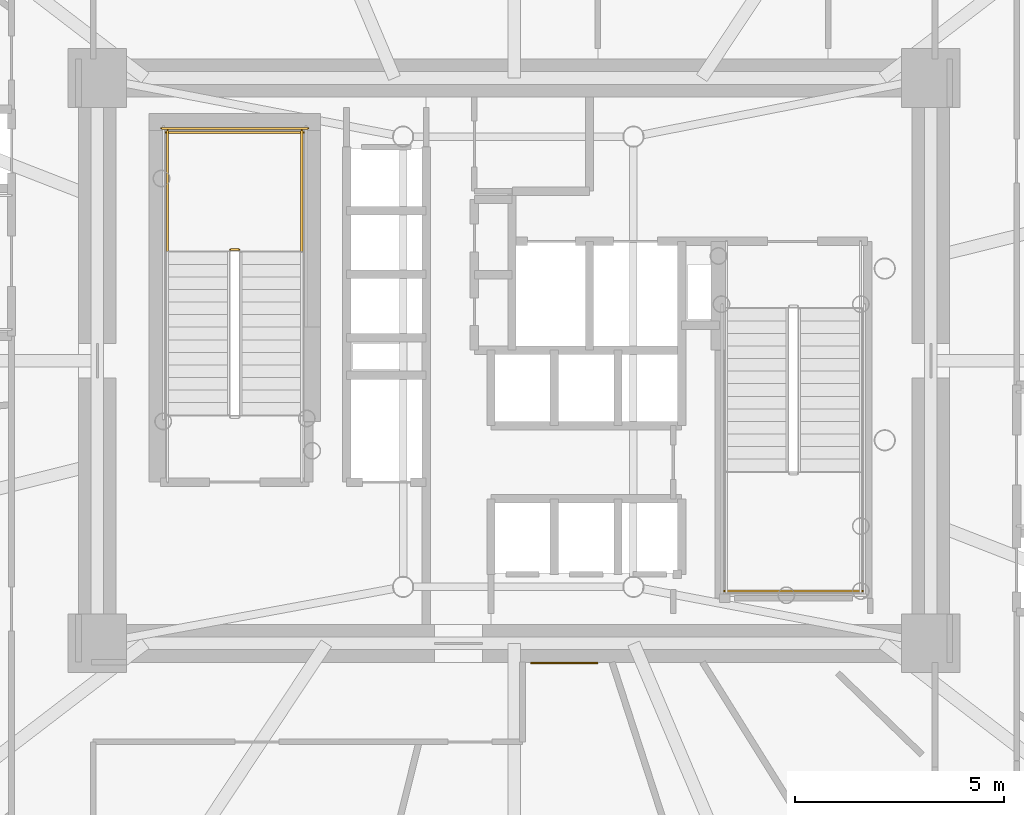
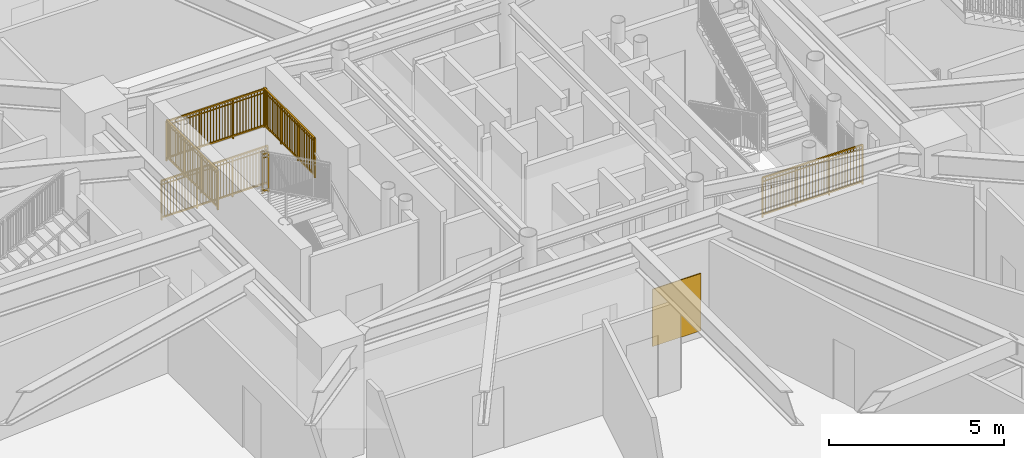
# One storey, part 25 of 31: 6 railings, 1 covering.
"""IFC4 building model written with IfcOpenShell, lengths in metres."""

from ifc_helpers import new_model, si_unit, direction, frame, origin, origin_2d, place, context, subcontext, project, spatial, rectangle, extrude, source, transform, mapped, material, layer, layer_set, type_object, element, save


model = new_model("IFC4")

# Units and contexts
model_context = context("Model", 3, precision=1e-05, world=origin(), true_north=direction((0.0, 1.0)))
body_context = subcontext(model_context, "Body", "Model", "MODEL_VIEW")
ifc_project = project(units=[si_unit("LENGTHUNIT", "METRE"), si_unit("AREAUNIT", "SQUARE_METRE"), si_unit("VOLUMEUNIT", "CUBIC_METRE"), si_unit("PLANEANGLEUNIT", "RADIAN"), si_unit("MASSUNIT", "GRAM", prefix="KILO")], contexts=[model_context])

# Site, building, storey
site_placement = place(None, origin())
site = spatial("IfcSite", under=ifc_project, at=site_placement, CompositionType="ELEMENT")
building_placement = place(site_placement, origin())
building = spatial("IfcBuilding", under=site, at=building_placement, Name="Linh Dai School and Residence Tower", CompositionType="ELEMENT")
storey_placement = place(building_placement, frame((0.0, 0.0, 6.0)))
storey = spatial("IfcBuildingStorey", under=building, at=storey_placement, Name="L01", CompositionType="ELEMENT", Elevation=6.0)

# Railings
ifc_material_1 = material(Name="Structural Steel S355JR", Category="steel")
railing_type = type_object("IfcRailingType", Name="RL-ST-GUARD-1400", PredefinedType="GUARDRAIL", material=ifc_material_1)
shared_shape_1 = source(origin(), body_context, "Body", "SweptSolid", [
    extrude(rectangle(XDim=0.048095703125, YDim=0.048095703125, at=origin_2d()), frame((0.0, 0.0, 1.3759765625), z_axis=(-1.0, 0.0, 0.0), x_axis=(0.0, -1.0, 0.0)), (0.0, 0.0, 1.0), 0.199951171875),
    extrude(rectangle(XDim=0.048095703125, YDim=0.048095703125, at=origin_2d()), frame((0.0, 0.0, 0.10009765625), z_axis=(-1.0, 0.0, 0.0), x_axis=(0.0, -1.0, 0.0)), (0.0, 0.0, 1.0), 0.199951171875),
    extrude(rectangle(XDim=0.030029296875, YDim=0.030029296875, at=origin_2d()), frame((0.0, 0.0, 1.239990234375), z_axis=(-1.0, 0.0, 0.0), x_axis=(0.0, -1.0, 0.0)), (0.0, 0.0, 1.0), 0.199951171875),
    extrude(rectangle(XDim=0.0419921875, YDim=0.0419921875, at=origin_2d()), origin(), (0.0, 0.0, 1.0), 1.3759765625),
    extrude(rectangle(XDim=0.0419921875, YDim=0.0419921875, at=origin_2d()), frame((-0.199951171875, 0.0, 0.0)), (0.0, 0.0, 1.0), 1.3759765625),
])
railing_1_placement = place(storey_placement, frame((29.429931640625, 29.64990234375, 2.10009765625)))
element("IfcRailing", 1, at=railing_1_placement, inside=storey, type_object=railing_type, Name="L01 ST1 stair guard 2", PredefinedType="GUARDRAIL", context=body_context, shape_type="MappedRepresentation", body=[
    mapped(shared_shape_1, transform((0.0, 0.0, 0.0), x_axis=(1.0, 0.0, 0.0), y_axis=(0.0, 1.0, 0.0), z_axis=(0.0, 0.0, 1.0), scale=1.0)),
])
shared_shape_2 = source(origin(), body_context, "Body", "SweptSolid", [
    extrude(rectangle(XDim=0.048095703125, YDim=0.048095703125, at=origin_2d()), frame((0.0, 0.0, 1.3759765625), z_axis=(-1.0, 0.0, 0.0), x_axis=(0.0, -1.0, 0.0)), (0.0, 0.0, 1.0), 3.300048828125),
    extrude(rectangle(XDim=0.048095703125, YDim=0.048095703125, at=origin_2d()), frame((0.0, 0.0, 0.10009765625), z_axis=(-1.0, 0.0, 0.0), x_axis=(0.0, -1.0, 0.0)), (0.0, 0.0, 1.0), 3.300048828125),
    extrude(rectangle(XDim=0.030029296875, YDim=0.030029296875, at=origin_2d()), frame((0.0, 0.0, 1.239990234375), z_axis=(-1.0, 0.0, 0.0), x_axis=(0.0, -1.0, 0.0)), (0.0, 0.0, 1.0), 3.300048828125),
    extrude(rectangle(XDim=0.02001953125, YDim=0.02001953125, at=origin_2d()), frame((-0.09716796875, 0.0, 0.10009765625)), (0.0, 0.0, 1.0), 1.251708984375),
    extrude(rectangle(XDim=0.02001953125, YDim=0.02001953125, at=origin_2d()), frame((-0.194091796875, 0.0, 0.10009765625)), (0.0, 0.0, 1.0), 1.251708984375),
    extrude(rectangle(XDim=0.02001953125, YDim=0.02001953125, at=origin_2d()), frame((-0.291259765625, 0.0, 0.10009765625)), (0.0, 0.0, 1.0), 1.251708984375),
    extrude(rectangle(XDim=0.02001953125, YDim=0.02001953125, at=origin_2d()), frame((-0.38818359375, 0.0, 0.10009765625)), (0.0, 0.0, 1.0), 1.251708984375),
    extrude(rectangle(XDim=0.02001953125, YDim=0.02001953125, at=origin_2d()), frame((-0.4853515625, 0.0, 0.10009765625)), (0.0, 0.0, 1.0), 1.251708984375),
    extrude(rectangle(XDim=0.02001953125, YDim=0.02001953125, at=origin_2d()), frame((-0.582275390625, 0.0, 0.10009765625)), (0.0, 0.0, 1.0), 1.251708984375),
    extrude(rectangle(XDim=0.02001953125, YDim=0.02001953125, at=origin_2d()), frame((-0.679443359375, 0.0, 0.10009765625)), (0.0, 0.0, 1.0), 1.251708984375),
    extrude(rectangle(XDim=0.02001953125, YDim=0.02001953125, at=origin_2d()), frame((-0.7763671875, 0.0, 0.10009765625)), (0.0, 0.0, 1.0), 1.251708984375),
    extrude(rectangle(XDim=0.02001953125, YDim=0.02001953125, at=origin_2d()), frame((-0.87353515625, 0.0, 0.10009765625)), (0.0, 0.0, 1.0), 1.251708984375),
    extrude(rectangle(XDim=0.02001953125, YDim=0.02001953125, at=origin_2d()), frame((-0.970703125, 0.0, 0.10009765625)), (0.0, 0.0, 1.0), 1.251708984375),
    extrude(rectangle(XDim=0.02001953125, YDim=0.02001953125, at=origin_2d()), frame((-1.164794921875, 0.0, 0.10009765625)), (0.0, 0.0, 1.0), 1.251708984375),
    extrude(rectangle(XDim=0.02001953125, YDim=0.02001953125, at=origin_2d()), frame((-1.26171875, 0.0, 0.10009765625)), (0.0, 0.0, 1.0), 1.251708984375),
    extrude(rectangle(XDim=0.02001953125, YDim=0.02001953125, at=origin_2d()), frame((-1.35888671875, 0.0, 0.10009765625)), (0.0, 0.0, 1.0), 1.251708984375),
    extrude(rectangle(XDim=0.02001953125, YDim=0.02001953125, at=origin_2d()), frame((-1.455810546875, 0.0, 0.10009765625)), (0.0, 0.0, 1.0), 1.251708984375),
    extrude(rectangle(XDim=0.02001953125, YDim=0.02001953125, at=origin_2d()), frame((-1.552978515625, 0.0, 0.10009765625)), (0.0, 0.0, 1.0), 1.251708984375),
    extrude(rectangle(XDim=0.02001953125, YDim=0.02001953125, at=origin_2d()), frame((-1.64990234375, 0.0, 0.10009765625)), (0.0, 0.0, 1.0), 1.251708984375),
    extrude(rectangle(XDim=0.02001953125, YDim=0.02001953125, at=origin_2d()), frame((-1.7470703125, 0.0, 0.10009765625)), (0.0, 0.0, 1.0), 1.251708984375),
    extrude(rectangle(XDim=0.02001953125, YDim=0.02001953125, at=origin_2d()), frame((-1.84423828125, 0.0, 0.10009765625)), (0.0, 0.0, 1.0), 1.251708984375),
    extrude(rectangle(XDim=0.02001953125, YDim=0.02001953125, at=origin_2d()), frame((-1.941162109375, 0.0, 0.10009765625)), (0.0, 0.0, 1.0), 1.251708984375),
    extrude(rectangle(XDim=0.02001953125, YDim=0.02001953125, at=origin_2d()), frame((-2.038330078125, 0.0, 0.10009765625)), (0.0, 0.0, 1.0), 1.251708984375),
    extrude(rectangle(XDim=0.02001953125, YDim=0.02001953125, at=origin_2d()), frame((-2.13525390625, 0.0, 0.10009765625)), (0.0, 0.0, 1.0), 1.251708984375),
    extrude(rectangle(XDim=0.02001953125, YDim=0.02001953125, at=origin_2d()), frame((-2.329345703125, 0.0, 0.10009765625)), (0.0, 0.0, 1.0), 1.251708984375),
    extrude(rectangle(XDim=0.02001953125, YDim=0.02001953125, at=origin_2d()), frame((-2.426513671875, 0.0, 0.10009765625)), (0.0, 0.0, 1.0), 1.251708984375),
    extrude(rectangle(XDim=0.02001953125, YDim=0.02001953125, at=origin_2d()), frame((-2.523681640625, 0.0, 0.10009765625)), (0.0, 0.0, 1.0), 1.251708984375),
    extrude(rectangle(XDim=0.02001953125, YDim=0.02001953125, at=origin_2d()), frame((-2.62060546875, 0.0, 0.10009765625)), (0.0, 0.0, 1.0), 1.251708984375),
    extrude(rectangle(XDim=0.02001953125, YDim=0.02001953125, at=origin_2d()), frame((-2.7177734375, 0.0, 0.10009765625)), (0.0, 0.0, 1.0), 1.251708984375),
    extrude(rectangle(XDim=0.02001953125, YDim=0.02001953125, at=origin_2d()), frame((-2.814697265625, 0.0, 0.10009765625)), (0.0, 0.0, 1.0), 1.251708984375),
    extrude(rectangle(XDim=0.02001953125, YDim=0.02001953125, at=origin_2d()), frame((-2.911865234375, 0.0, 0.10009765625)), (0.0, 0.0, 1.0), 1.251708984375),
    extrude(rectangle(XDim=0.02001953125, YDim=0.02001953125, at=origin_2d()), frame((-3.0087890625, 0.0, 0.10009765625)), (0.0, 0.0, 1.0), 1.251708984375),
    extrude(rectangle(XDim=0.02001953125, YDim=0.02001953125, at=origin_2d()), frame((-3.10595703125, 0.0, 0.10009765625)), (0.0, 0.0, 1.0), 1.251708984375),
    extrude(rectangle(XDim=0.02001953125, YDim=0.02001953125, at=origin_2d()), frame((-3.202880859375, 0.0, 0.10009765625)), (0.0, 0.0, 1.0), 1.251708984375),
    extrude(rectangle(XDim=0.0419921875, YDim=0.0419921875, at=origin_2d()), origin(), (0.0, 0.0, 1.0), 1.3759765625),
    extrude(rectangle(XDim=0.0419921875, YDim=0.0419921875, at=origin_2d()), frame((-1.10009765625, 0.0, 0.0)), (0.0, 0.0, 1.0), 1.3759765625),
    extrude(rectangle(XDim=0.0419921875, YDim=0.0419921875, at=origin_2d()), frame((-2.199951171875, 0.0, 0.0)), (0.0, 0.0, 1.0), 1.3759765625),
    extrude(rectangle(XDim=0.0419921875, YDim=0.0419921875, at=origin_2d()), frame((-3.300048828125, 0.0, 0.0)), (0.0, 0.0, 1.0), 1.3759765625),
])
railing_2_placement = place(storey_placement, frame((30.97998046875, 32.449951171875, 2.10009765625)))
element("IfcRailing", 2, at=railing_2_placement, inside=storey, type_object=railing_type, Name="L01 ST1 stair guard 5", PredefinedType="GUARDRAIL", context=body_context, shape_type="MappedRepresentation", body=[
    mapped(shared_shape_2, transform((0.0, 0.0, 0.0), x_axis=(1.0, 0.0, 0.0), y_axis=(0.0, 1.0, 0.0), z_axis=(0.0, 0.0, 1.0), scale=1.0)),
])
shared_shape_3 = source(origin(), body_context, "Body", "SweptSolid", [
    extrude(rectangle(XDim=0.048095703125, YDim=0.048095703125, at=origin_2d()), frame((0.0, 0.0, 1.3759765625), z_axis=(-1.0, 0.0, 0.0), x_axis=(0.0, -1.0, 0.0)), (0.0, 0.0, 1.0), 3.5),
    extrude(rectangle(XDim=0.048095703125, YDim=0.048095703125, at=origin_2d()), frame((0.0, 0.0, 0.10009765625), z_axis=(-1.0, 0.0, 0.0), x_axis=(0.0, -1.0, 0.0)), (0.0, 0.0, 1.0), 3.5),
    extrude(rectangle(XDim=0.030029296875, YDim=0.030029296875, at=origin_2d()), frame((0.0, 0.0, 1.239990234375), z_axis=(-1.0, 0.0, 0.0), x_axis=(0.0, -1.0, 0.0)), (0.0, 0.0, 1.0), 3.5),
    extrude(rectangle(XDim=0.02001953125, YDim=0.02001953125, at=origin_2d()), frame((-0.09716796875, 0.0, 0.10009765625)), (0.0, 0.0, 1.0), 1.251708984375),
    extrude(rectangle(XDim=0.02001953125, YDim=0.02001953125, at=origin_2d()), frame((-0.1943359375, 0.0, 0.10009765625)), (0.0, 0.0, 1.0), 1.251708984375),
    extrude(rectangle(XDim=0.02001953125, YDim=0.02001953125, at=origin_2d()), frame((-0.291748046875, 0.0, 0.10009765625)), (0.0, 0.0, 1.0), 1.251708984375),
    extrude(rectangle(XDim=0.02001953125, YDim=0.02001953125, at=origin_2d()), frame((-0.388916015625, 0.0, 0.10009765625)), (0.0, 0.0, 1.0), 1.251708984375),
    extrude(rectangle(XDim=0.02001953125, YDim=0.02001953125, at=origin_2d()), frame((-0.486083984375, 0.0, 0.10009765625)), (0.0, 0.0, 1.0), 1.251708984375),
    extrude(rectangle(XDim=0.02001953125, YDim=0.02001953125, at=origin_2d()), frame((-0.583251953125, 0.0, 0.10009765625)), (0.0, 0.0, 1.0), 1.251708984375),
    extrude(rectangle(XDim=0.02001953125, YDim=0.02001953125, at=origin_2d()), frame((-0.6806640625, 0.0, 0.10009765625)), (0.0, 0.0, 1.0), 1.251708984375),
    extrude(rectangle(XDim=0.02001953125, YDim=0.02001953125, at=origin_2d()), frame((-0.77783203125, 0.0, 0.10009765625)), (0.0, 0.0, 1.0), 1.251708984375),
    extrude(rectangle(XDim=0.02001953125, YDim=0.02001953125, at=origin_2d()), frame((-0.875, 0.0, 0.10009765625)), (0.0, 0.0, 1.0), 1.251708984375),
    extrude(rectangle(XDim=0.02001953125, YDim=0.02001953125, at=origin_2d()), frame((-0.97216796875, 0.0, 0.10009765625)), (0.0, 0.0, 1.0), 1.251708984375),
    extrude(rectangle(XDim=0.02001953125, YDim=0.02001953125, at=origin_2d()), frame((-1.0693359375, 0.0, 0.10009765625)), (0.0, 0.0, 1.0), 1.251708984375),
    extrude(rectangle(XDim=0.02001953125, YDim=0.02001953125, at=origin_2d()), frame((-1.263916015625, 0.0, 0.10009765625)), (0.0, 0.0, 1.0), 1.251708984375),
    extrude(rectangle(XDim=0.02001953125, YDim=0.02001953125, at=origin_2d()), frame((-1.361083984375, 0.0, 0.10009765625)), (0.0, 0.0, 1.0), 1.251708984375),
    extrude(rectangle(XDim=0.02001953125, YDim=0.02001953125, at=origin_2d()), frame((-1.458251953125, 0.0, 0.10009765625)), (0.0, 0.0, 1.0), 1.251708984375),
    extrude(rectangle(XDim=0.02001953125, YDim=0.02001953125, at=origin_2d()), frame((-1.5556640625, 0.0, 0.10009765625)), (0.0, 0.0, 1.0), 1.251708984375),
    extrude(rectangle(XDim=0.02001953125, YDim=0.02001953125, at=origin_2d()), frame((-1.65283203125, 0.0, 0.10009765625)), (0.0, 0.0, 1.0), 1.251708984375),
    extrude(rectangle(XDim=0.02001953125, YDim=0.02001953125, at=origin_2d()), frame((-1.75, 0.0, 0.10009765625)), (0.0, 0.0, 1.0), 1.251708984375),
    extrude(rectangle(XDim=0.02001953125, YDim=0.02001953125, at=origin_2d()), frame((-1.84716796875, 0.0, 0.10009765625)), (0.0, 0.0, 1.0), 1.251708984375),
    extrude(rectangle(XDim=0.02001953125, YDim=0.02001953125, at=origin_2d()), frame((-1.9443359375, 0.0, 0.10009765625)), (0.0, 0.0, 1.0), 1.251708984375),
    extrude(rectangle(XDim=0.02001953125, YDim=0.02001953125, at=origin_2d()), frame((-2.041748046875, 0.0, 0.10009765625)), (0.0, 0.0, 1.0), 1.251708984375),
    extrude(rectangle(XDim=0.02001953125, YDim=0.02001953125, at=origin_2d()), frame((-2.138916015625, 0.0, 0.10009765625)), (0.0, 0.0, 1.0), 1.251708984375),
    extrude(rectangle(XDim=0.02001953125, YDim=0.02001953125, at=origin_2d()), frame((-2.236083984375, 0.0, 0.10009765625)), (0.0, 0.0, 1.0), 1.251708984375),
    extrude(rectangle(XDim=0.02001953125, YDim=0.02001953125, at=origin_2d()), frame((-2.4306640625, 0.0, 0.10009765625)), (0.0, 0.0, 1.0), 1.251708984375),
    extrude(rectangle(XDim=0.02001953125, YDim=0.02001953125, at=origin_2d()), frame((-2.52783203125, 0.0, 0.10009765625)), (0.0, 0.0, 1.0), 1.251708984375),
    extrude(rectangle(XDim=0.02001953125, YDim=0.02001953125, at=origin_2d()), frame((-2.625, 0.0, 0.10009765625)), (0.0, 0.0, 1.0), 1.251708984375),
    extrude(rectangle(XDim=0.02001953125, YDim=0.02001953125, at=origin_2d()), frame((-2.72216796875, 0.0, 0.10009765625)), (0.0, 0.0, 1.0), 1.251708984375),
    extrude(rectangle(XDim=0.02001953125, YDim=0.02001953125, at=origin_2d()), frame((-2.8193359375, 0.0, 0.10009765625)), (0.0, 0.0, 1.0), 1.251708984375),
    extrude(rectangle(XDim=0.02001953125, YDim=0.02001953125, at=origin_2d()), frame((-2.916748046875, 0.0, 0.10009765625)), (0.0, 0.0, 1.0), 1.251708984375),
    extrude(rectangle(XDim=0.02001953125, YDim=0.02001953125, at=origin_2d()), frame((-3.013916015625, 0.0, 0.10009765625)), (0.0, 0.0, 1.0), 1.251708984375),
    extrude(rectangle(XDim=0.02001953125, YDim=0.02001953125, at=origin_2d()), frame((-3.111083984375, 0.0, 0.10009765625)), (0.0, 0.0, 1.0), 1.251708984375),
    extrude(rectangle(XDim=0.02001953125, YDim=0.02001953125, at=origin_2d()), frame((-3.208251953125, 0.0, 0.10009765625)), (0.0, 0.0, 1.0), 1.251708984375),
    extrude(rectangle(XDim=0.02001953125, YDim=0.02001953125, at=origin_2d()), frame((-3.3056640625, 0.0, 0.10009765625)), (0.0, 0.0, 1.0), 1.251708984375),
    extrude(rectangle(XDim=0.02001953125, YDim=0.02001953125, at=origin_2d()), frame((-3.40283203125, 0.0, 0.10009765625)), (0.0, 0.0, 1.0), 1.251708984375),
    extrude(rectangle(XDim=0.0419921875, YDim=0.0419921875, at=origin_2d()), origin(), (0.0, 0.0, 1.0), 1.3759765625),
    extrude(rectangle(XDim=0.0419921875, YDim=0.0419921875, at=origin_2d()), frame((-1.166748046875, 0.0, 0.0)), (0.0, 0.0, 1.0), 1.3759765625),
    extrude(rectangle(XDim=0.0419921875, YDim=0.0419921875, at=origin_2d()), frame((-2.333251953125, 0.0, 0.0)), (0.0, 0.0, 1.0), 1.3759765625),
    extrude(rectangle(XDim=0.0419921875, YDim=0.0419921875, at=origin_2d()), frame((-3.5, 0.0, 0.0)), (0.0, 0.0, 1.0), 1.3759765625),
])
railing_3_placement = place(storey_placement, frame((31.080078125, 32.550048828125, 0.0)))
element("IfcRailing", 3, at=railing_3_placement, inside=storey, type_object=railing_type, Name="L01 ST1 stair guard 12", PredefinedType="GUARDRAIL", context=body_context, shape_type="MappedRepresentation", body=[
    mapped(shared_shape_3, transform((0.0, 0.0, 0.0), x_axis=(1.0, 0.0, 0.0), y_axis=(0.0, 1.0, 0.0), z_axis=(0.0, 0.0, 1.0), scale=1.0)),
])
shared_shape_4 = source(origin(), body_context, "Body", "SweptSolid", [
    extrude(rectangle(XDim=0.048095703125, YDim=0.048095703125, at=origin_2d()), frame((0.0, 0.0, 1.3759765625), z_axis=(0.0, 1.0, 0.0), x_axis=(-1.0, 0.0, 0.0)), (0.0, 0.0, 1.0), 2.89990234375),
    extrude(rectangle(XDim=0.048095703125, YDim=0.048095703125, at=origin_2d()), frame((0.0, 0.0, 0.10009765625), z_axis=(0.0, 1.0, 0.0), x_axis=(-1.0, 0.0, 0.0)), (0.0, 0.0, 1.0), 2.89990234375),
    extrude(rectangle(XDim=0.030029296875, YDim=0.030029296875, at=origin_2d()), frame((0.0, 0.0, 1.239990234375), z_axis=(0.0, 1.0, 0.0), x_axis=(-1.0, 0.0, 0.0)), (0.0, 0.0, 1.0), 2.89990234375),
    extrude(rectangle(XDim=0.02001953125, YDim=0.02001953125, at=origin_2d()), frame((0.0, 0.0966796875, 0.10009765625)), (0.0, 0.0, 1.0), 1.251708984375),
    extrude(rectangle(XDim=0.02001953125, YDim=0.02001953125, at=origin_2d()), frame((0.0, 0.193359375, 0.10009765625)), (0.0, 0.0, 1.0), 1.251708984375),
    extrude(rectangle(XDim=0.02001953125, YDim=0.02001953125, at=origin_2d()), frame((0.0, 0.2900390625, 0.10009765625)), (0.0, 0.0, 1.0), 1.251708984375),
    extrude(rectangle(XDim=0.02001953125, YDim=0.02001953125, at=origin_2d()), frame((0.0, 0.38671875, 0.10009765625)), (0.0, 0.0, 1.0), 1.251708984375),
    extrude(rectangle(XDim=0.02001953125, YDim=0.02001953125, at=origin_2d()), frame((0.0, 0.4833984375, 0.10009765625)), (0.0, 0.0, 1.0), 1.251708984375),
    extrude(rectangle(XDim=0.02001953125, YDim=0.02001953125, at=origin_2d()), frame((0.0, 0.580078125, 0.10009765625)), (0.0, 0.0, 1.0), 1.251708984375),
    extrude(rectangle(XDim=0.02001953125, YDim=0.02001953125, at=origin_2d()), frame((0.0, 0.6767578125, 0.10009765625)), (0.0, 0.0, 1.0), 1.251708984375),
    extrude(rectangle(XDim=0.02001953125, YDim=0.02001953125, at=origin_2d()), frame((0.0, 0.773193359375, 0.10009765625)), (0.0, 0.0, 1.0), 1.251708984375),
    extrude(rectangle(XDim=0.02001953125, YDim=0.02001953125, at=origin_2d()), frame((0.0, 0.869873046875, 0.10009765625)), (0.0, 0.0, 1.0), 1.251708984375),
    extrude(rectangle(XDim=0.02001953125, YDim=0.02001953125, at=origin_2d()), frame((0.0, 1.063232421875, 0.10009765625)), (0.0, 0.0, 1.0), 1.251708984375),
    extrude(rectangle(XDim=0.02001953125, YDim=0.02001953125, at=origin_2d()), frame((0.0, 1.159912109375, 0.10009765625)), (0.0, 0.0, 1.0), 1.251708984375),
    extrude(rectangle(XDim=0.02001953125, YDim=0.02001953125, at=origin_2d()), frame((0.0, 1.256591796875, 0.10009765625)), (0.0, 0.0, 1.0), 1.251708984375),
    extrude(rectangle(XDim=0.02001953125, YDim=0.02001953125, at=origin_2d()), frame((0.0, 1.353271484375, 0.10009765625)), (0.0, 0.0, 1.0), 1.251708984375),
    extrude(rectangle(XDim=0.02001953125, YDim=0.02001953125, at=origin_2d()), frame((0.0, 1.449951171875, 0.10009765625)), (0.0, 0.0, 1.0), 1.251708984375),
    extrude(rectangle(XDim=0.02001953125, YDim=0.02001953125, at=origin_2d()), frame((0.0, 1.546630859375, 0.10009765625)), (0.0, 0.0, 1.0), 1.251708984375),
    extrude(rectangle(XDim=0.02001953125, YDim=0.02001953125, at=origin_2d()), frame((0.0, 1.643310546875, 0.10009765625)), (0.0, 0.0, 1.0), 1.251708984375),
    extrude(rectangle(XDim=0.02001953125, YDim=0.02001953125, at=origin_2d()), frame((0.0, 1.739990234375, 0.10009765625)), (0.0, 0.0, 1.0), 1.251708984375),
    extrude(rectangle(XDim=0.02001953125, YDim=0.02001953125, at=origin_2d()), frame((0.0, 1.836669921875, 0.10009765625)), (0.0, 0.0, 1.0), 1.251708984375),
    extrude(rectangle(XDim=0.02001953125, YDim=0.02001953125, at=origin_2d()), frame((0.0, 2.030029296875, 0.10009765625)), (0.0, 0.0, 1.0), 1.251708984375),
    extrude(rectangle(XDim=0.02001953125, YDim=0.02001953125, at=origin_2d()), frame((0.0, 2.126708984375, 0.10009765625)), (0.0, 0.0, 1.0), 1.251708984375),
    extrude(rectangle(XDim=0.02001953125, YDim=0.02001953125, at=origin_2d()), frame((0.0, 2.22314453125, 0.10009765625)), (0.0, 0.0, 1.0), 1.251708984375),
    extrude(rectangle(XDim=0.02001953125, YDim=0.02001953125, at=origin_2d()), frame((0.0, 2.31982421875, 0.10009765625)), (0.0, 0.0, 1.0), 1.251708984375),
    extrude(rectangle(XDim=0.02001953125, YDim=0.02001953125, at=origin_2d()), frame((0.0, 2.41650390625, 0.10009765625)), (0.0, 0.0, 1.0), 1.251708984375),
    extrude(rectangle(XDim=0.02001953125, YDim=0.02001953125, at=origin_2d()), frame((0.0, 2.51318359375, 0.10009765625)), (0.0, 0.0, 1.0), 1.251708984375),
    extrude(rectangle(XDim=0.02001953125, YDim=0.02001953125, at=origin_2d()), frame((0.0, 2.60986328125, 0.10009765625)), (0.0, 0.0, 1.0), 1.251708984375),
    extrude(rectangle(XDim=0.02001953125, YDim=0.02001953125, at=origin_2d()), frame((0.0, 2.70654296875, 0.10009765625)), (0.0, 0.0, 1.0), 1.251708984375),
    extrude(rectangle(XDim=0.02001953125, YDim=0.02001953125, at=origin_2d()), frame((0.0, 2.80322265625, 0.10009765625)), (0.0, 0.0, 1.0), 1.251708984375),
    extrude(rectangle(XDim=0.0419921875, YDim=0.0419921875, at=origin_2d()), origin(), (0.0, 0.0, 1.0), 1.3759765625),
    extrude(rectangle(XDim=0.0419921875, YDim=0.0419921875, at=origin_2d()), frame((0.0, 0.966552734375, 0.0)), (0.0, 0.0, 1.0), 1.3759765625),
    extrude(rectangle(XDim=0.0419921875, YDim=0.0419921875, at=origin_2d()), frame((0.0, 1.933349609375, 0.0)), (0.0, 0.0, 1.0), 1.3759765625),
    extrude(rectangle(XDim=0.0419921875, YDim=0.0419921875, at=origin_2d()), frame((0.0, 2.89990234375, 0.0)), (0.0, 0.0, 1.0), 1.3759765625),
])
for number, where, name in (
    (4, (30.929931640625, 29.60009765625, 2.10009765625), "L01 ST1 stair guard 3"),
    (5, (27.72998046875, 29.60009765625, 2.10009765625), "L01 ST1 stair guard 4"),
):
    element("IfcRailing", number, at=place(storey_placement, frame(where)), inside=storey, type_object=railing_type, Name=name, PredefinedType="GUARDRAIL", context=body_context, shape_type="MappedRepresentation", body=[
        mapped(shared_shape_4, transform((0.0, 0.0, 0.0), x_axis=(1.0, 0.0, 0.0), y_axis=(0.0, 1.0, 0.0), z_axis=(0.0, 0.0, 1.0), scale=1.0)),
    ])
shared_shape_5 = source(origin(), body_context, "Body", "SweptSolid", [
    extrude(rectangle(XDim=0.048095703125, YDim=0.048095703125, at=origin_2d()), frame((0.0, 0.0, 1.3759765625), z_axis=(1.0, 0.0, 0.0), x_axis=(0.0, 1.0, 0.0)), (0.0, 0.0, 1.0), 3.300048828125),
    extrude(rectangle(XDim=0.048095703125, YDim=0.048095703125, at=origin_2d()), frame((0.0, 0.0, 0.10009765625), z_axis=(1.0, 0.0, 0.0), x_axis=(0.0, 1.0, 0.0)), (0.0, 0.0, 1.0), 3.300048828125),
    extrude(rectangle(XDim=0.030029296875, YDim=0.030029296875, at=origin_2d()), frame((0.0, 0.0, 1.239990234375), z_axis=(1.0, 0.0, 0.0), x_axis=(0.0, 1.0, 0.0)), (0.0, 0.0, 1.0), 3.300048828125),
    extrude(rectangle(XDim=0.02001953125, YDim=0.02001953125, at=origin_2d()), frame((0.09716796875, 0.0, 0.10009765625)), (0.0, 0.0, 1.0), 1.251708984375),
    extrude(rectangle(XDim=0.02001953125, YDim=0.02001953125, at=origin_2d()), frame((0.194091796875, 0.0, 0.10009765625)), (0.0, 0.0, 1.0), 1.251708984375),
    extrude(rectangle(XDim=0.02001953125, YDim=0.02001953125, at=origin_2d()), frame((0.291259765625, 0.0, 0.10009765625)), (0.0, 0.0, 1.0), 1.251708984375),
    extrude(rectangle(XDim=0.02001953125, YDim=0.02001953125, at=origin_2d()), frame((0.38818359375, 0.0, 0.10009765625)), (0.0, 0.0, 1.0), 1.251708984375),
    extrude(rectangle(XDim=0.02001953125, YDim=0.02001953125, at=origin_2d()), frame((0.4853515625, 0.0, 0.10009765625)), (0.0, 0.0, 1.0), 1.251708984375),
    extrude(rectangle(XDim=0.02001953125, YDim=0.02001953125, at=origin_2d()), frame((0.582275390625, 0.0, 0.10009765625)), (0.0, 0.0, 1.0), 1.251708984375),
    extrude(rectangle(XDim=0.02001953125, YDim=0.02001953125, at=origin_2d()), frame((0.679443359375, 0.0, 0.10009765625)), (0.0, 0.0, 1.0), 1.251708984375),
    extrude(rectangle(XDim=0.02001953125, YDim=0.02001953125, at=origin_2d()), frame((0.7763671875, 0.0, 0.10009765625)), (0.0, 0.0, 1.0), 1.251708984375),
    extrude(rectangle(XDim=0.02001953125, YDim=0.02001953125, at=origin_2d()), frame((0.87353515625, 0.0, 0.10009765625)), (0.0, 0.0, 1.0), 1.251708984375),
    extrude(rectangle(XDim=0.02001953125, YDim=0.02001953125, at=origin_2d()), frame((0.970703125, 0.0, 0.10009765625)), (0.0, 0.0, 1.0), 1.251708984375),
    extrude(rectangle(XDim=0.02001953125, YDim=0.02001953125, at=origin_2d()), frame((1.164794921875, 0.0, 0.10009765625)), (0.0, 0.0, 1.0), 1.251708984375),
    extrude(rectangle(XDim=0.02001953125, YDim=0.02001953125, at=origin_2d()), frame((1.26171875, 0.0, 0.10009765625)), (0.0, 0.0, 1.0), 1.251708984375),
    extrude(rectangle(XDim=0.02001953125, YDim=0.02001953125, at=origin_2d()), frame((1.35888671875, 0.0, 0.10009765625)), (0.0, 0.0, 1.0), 1.251708984375),
    extrude(rectangle(XDim=0.02001953125, YDim=0.02001953125, at=origin_2d()), frame((1.455810546875, 0.0, 0.10009765625)), (0.0, 0.0, 1.0), 1.251708984375),
    extrude(rectangle(XDim=0.02001953125, YDim=0.02001953125, at=origin_2d()), frame((1.552978515625, 0.0, 0.10009765625)), (0.0, 0.0, 1.0), 1.251708984375),
    extrude(rectangle(XDim=0.02001953125, YDim=0.02001953125, at=origin_2d()), frame((1.64990234375, 0.0, 0.10009765625)), (0.0, 0.0, 1.0), 1.251708984375),
    extrude(rectangle(XDim=0.02001953125, YDim=0.02001953125, at=origin_2d()), frame((1.7470703125, 0.0, 0.10009765625)), (0.0, 0.0, 1.0), 1.251708984375),
    extrude(rectangle(XDim=0.02001953125, YDim=0.02001953125, at=origin_2d()), frame((1.84423828125, 0.0, 0.10009765625)), (0.0, 0.0, 1.0), 1.251708984375),
    extrude(rectangle(XDim=0.02001953125, YDim=0.02001953125, at=origin_2d()), frame((1.941162109375, 0.0, 0.10009765625)), (0.0, 0.0, 1.0), 1.251708984375),
    extrude(rectangle(XDim=0.02001953125, YDim=0.02001953125, at=origin_2d()), frame((2.038330078125, 0.0, 0.10009765625)), (0.0, 0.0, 1.0), 1.251708984375),
    extrude(rectangle(XDim=0.02001953125, YDim=0.02001953125, at=origin_2d()), frame((2.13525390625, 0.0, 0.10009765625)), (0.0, 0.0, 1.0), 1.251708984375),
    extrude(rectangle(XDim=0.02001953125, YDim=0.02001953125, at=origin_2d()), frame((2.329345703125, 0.0, 0.10009765625)), (0.0, 0.0, 1.0), 1.251708984375),
    extrude(rectangle(XDim=0.02001953125, YDim=0.02001953125, at=origin_2d()), frame((2.426513671875, 0.0, 0.10009765625)), (0.0, 0.0, 1.0), 1.251708984375),
    extrude(rectangle(XDim=0.02001953125, YDim=0.02001953125, at=origin_2d()), frame((2.523681640625, 0.0, 0.10009765625)), (0.0, 0.0, 1.0), 1.251708984375),
    extrude(rectangle(XDim=0.02001953125, YDim=0.02001953125, at=origin_2d()), frame((2.62060546875, 0.0, 0.10009765625)), (0.0, 0.0, 1.0), 1.251708984375),
    extrude(rectangle(XDim=0.02001953125, YDim=0.02001953125, at=origin_2d()), frame((2.7177734375, 0.0, 0.10009765625)), (0.0, 0.0, 1.0), 1.251708984375),
    extrude(rectangle(XDim=0.02001953125, YDim=0.02001953125, at=origin_2d()), frame((2.814697265625, 0.0, 0.10009765625)), (0.0, 0.0, 1.0), 1.251708984375),
    extrude(rectangle(XDim=0.02001953125, YDim=0.02001953125, at=origin_2d()), frame((2.911865234375, 0.0, 0.10009765625)), (0.0, 0.0, 1.0), 1.251708984375),
    extrude(rectangle(XDim=0.02001953125, YDim=0.02001953125, at=origin_2d()), frame((3.0087890625, 0.0, 0.10009765625)), (0.0, 0.0, 1.0), 1.251708984375),
    extrude(rectangle(XDim=0.02001953125, YDim=0.02001953125, at=origin_2d()), frame((3.10595703125, 0.0, 0.10009765625)), (0.0, 0.0, 1.0), 1.251708984375),
    extrude(rectangle(XDim=0.02001953125, YDim=0.02001953125, at=origin_2d()), frame((3.202880859375, 0.0, 0.10009765625)), (0.0, 0.0, 1.0), 1.251708984375),
    extrude(rectangle(XDim=0.0419921875, YDim=0.0419921875, at=origin_2d()), origin(), (0.0, 0.0, 1.0), 1.3759765625),
    extrude(rectangle(XDim=0.0419921875, YDim=0.0419921875, at=origin_2d()), frame((1.10009765625, 0.0, 0.0)), (0.0, 0.0, 1.0), 1.3759765625),
    extrude(rectangle(XDim=0.0419921875, YDim=0.0419921875, at=origin_2d()), frame((2.199951171875, 0.0, 0.0)), (0.0, 0.0, 1.0), 1.3759765625),
    extrude(rectangle(XDim=0.0419921875, YDim=0.0419921875, at=origin_2d()), frame((3.300048828125, 0.0, 0.0)), (0.0, 0.0, 1.0), 1.3759765625),
])
railing_4_placement = place(storey_placement, frame((41.02001953125, 21.5, 2.10009765625)))
element("IfcRailing", 6, at=railing_4_placement, inside=storey, type_object=railing_type, Name="L01 ST2 stair guard 5", PredefinedType="GUARDRAIL", context=body_context, shape_type="MappedRepresentation", body=[
    mapped(shared_shape_5, transform((0.0, 0.0, 0.0), x_axis=(1.0, 0.0, 0.0), y_axis=(0.0, 1.0, 0.0), z_axis=(0.0, 0.0, 1.0), scale=1.0)),
])

# Covering
ifc_material_2 = material(Name="Glazed Terracotta Acoustic Feature Cladding", Category="masonry")
ifc_layer = layer(ifc_material_2, 0.030029296875)
ifc_layer_set = layer_set([ifc_layer], Name="Glazed Terracotta Acoustic Feature Cladding")
covering_type = type_object("IfcCoveringType", Name="COV-CLAD-TC-30", PredefinedType="CLADDING", material=ifc_layer_set)
shared_shape_6 = source(origin(), body_context, "Body", "SweptSolid", [
    extrude(rectangle(XDim=1.60009765625, YDim=0.030029296875, at=origin_2d()), origin(), (0.0, 0.0, 1.0), 2.0),
])
covering_placement = place(storey_placement, frame((37.199951171875, 19.784912109375, 0.25), z_axis=(0.0, 0.0, 1.0), x_axis=(1.0, 0.0, 0.0)))
element("IfcCovering", 7, at=covering_placement, inside=storey, type_object=covering_type, Name="L01 Core Lobby Terracotta Feature Cladding", PredefinedType="CLADDING", context=body_context, shape_type="MappedRepresentation", body=[
    mapped(shared_shape_6, transform((0.0, 0.0, 0.0), x_axis=(1.0, 0.0, 0.0), y_axis=(0.0, 1.0, 0.0), z_axis=(0.0, 0.0, 1.0), scale=1.0)),
])

save(model, "model.ifc")
